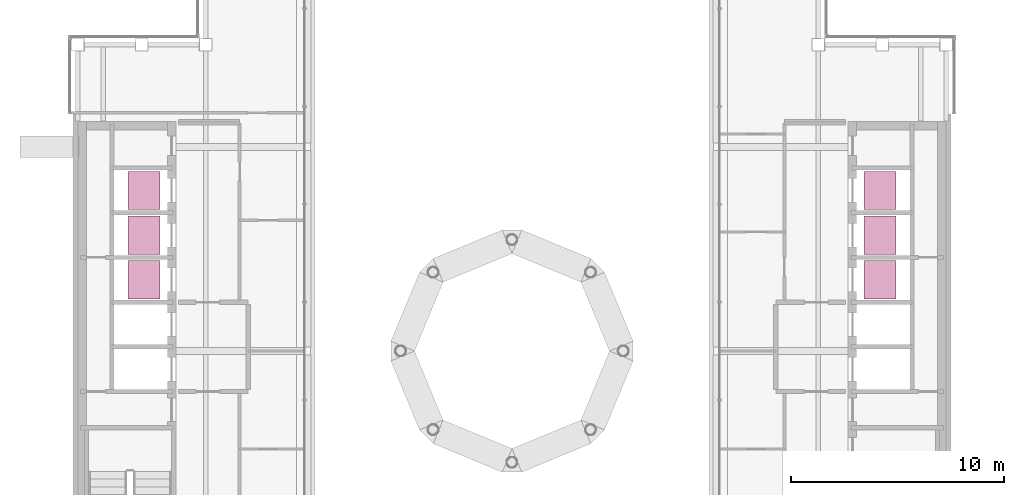
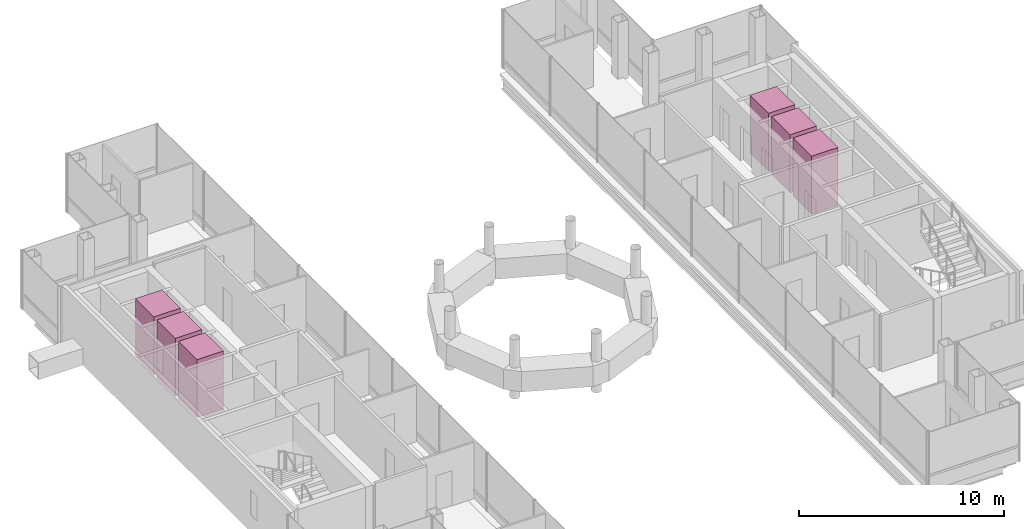
# One storey, part 21 of 21: 6 transport elements.
"""IFC4 building model written with IfcOpenShell, lengths in metres."""

from ifc_helpers import new_model, si_unit, direction, frame, origin, origin_2d, place, context, subcontext, project, spatial, rectangle, extrude, material, type_object, element, save


model = new_model("IFC4")

# Units and contexts
model_context = context("Model", 3, precision=1e-05, world=origin(), true_north=direction((0.0, 1.0)))
body_context = subcontext(model_context, "Body", "Model", "MODEL_VIEW")
ifc_project = project(units=[si_unit("LENGTHUNIT", "METRE"), si_unit("AREAUNIT", "SQUARE_METRE"), si_unit("VOLUMEUNIT", "CUBIC_METRE"), si_unit("PLANEANGLEUNIT", "RADIAN"), si_unit("MASSUNIT", "GRAM", prefix="KILO")], contexts=[model_context])

# Site, building, storey
site_placement = place(None, origin())
site = spatial("IfcSite", under=ifc_project, at=site_placement, CompositionType="ELEMENT")
building_placement = place(site_placement, origin())
building = spatial("IfcBuilding", under=site, at=building_placement, Name="Cobrizo Arcos Hotel Tower", CompositionType="ELEMENT")
storey_placement = place(building_placement, frame((0.0, 0.0, 279.5)))
storey = spatial("IfcBuildingStorey", under=building, at=storey_placement, Name="L74", CompositionType="ELEMENT", Elevation=279.5)

# Transport elements
ifc_material = material(Name="Stainless steel car", Category="steel")
transport_element_type = type_object("IfcTransportElementType", Name="Lift car High 1.8x1.5", PredefinedType="ELEVATOR", material=ifc_material)
for number, where, z_axis, x_axis, name in (
    (1, (-17.300048828125, 3.35009765625, 0.0), (0.0, 0.0, 1.0), (1.0, 0.0, 0.0), "High-rise passenger lift W1"),
    (2, (-17.300048828125, 5.449951171875, 0.0), (0.0, 0.0, 1.0), (1.0, 0.0, 0.0), "High-rise passenger lift W2"),
    (3, (-17.300048828125, 7.550048828125, 0.0), (0.0, 0.0, 1.0), (1.0, 0.0, 0.0), "High-rise passenger lift W3"),
    (4, (17.300048828125, 3.35009765625, 0.0), (0.0, 0.0, 1.0), (1.0, 0.0, 0.0), "High-rise passenger lift E1"),
    (5, (17.300048828125, 5.449951171875, 0.0), (0.0, 0.0, 1.0), (1.0, 0.0, 0.0), "High-rise passenger lift E2"),
    (6, (17.300048828125, 7.550048828125, 0.0), (0.0, 0.0, 1.0), (1.0, 0.0, 0.0), "High-rise passenger lift E3"),
):
    element("IfcTransportElement", number, at=place(storey_placement, frame(where, z_axis=z_axis, x_axis=x_axis)), inside=storey, type_object=transport_element_type, Name=name, PredefinedType="ELEVATOR", context=body_context, shape_type="SweptSolid", body=[
        extrude(rectangle(XDim=1.5, YDim=1.800048828125, at=origin_2d()), origin(), (0.0, 0.0, 1.0), 3.449951171875),
    ])

save(model, "model.ifc")
